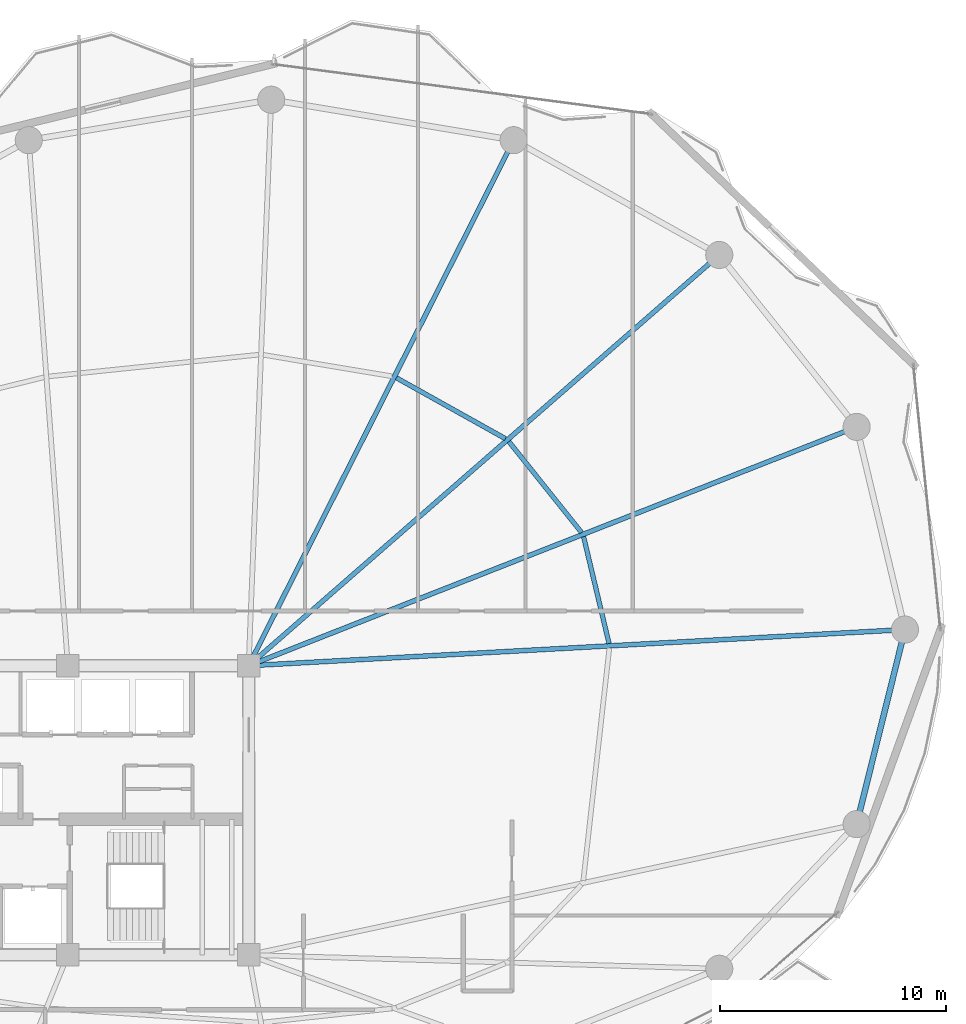
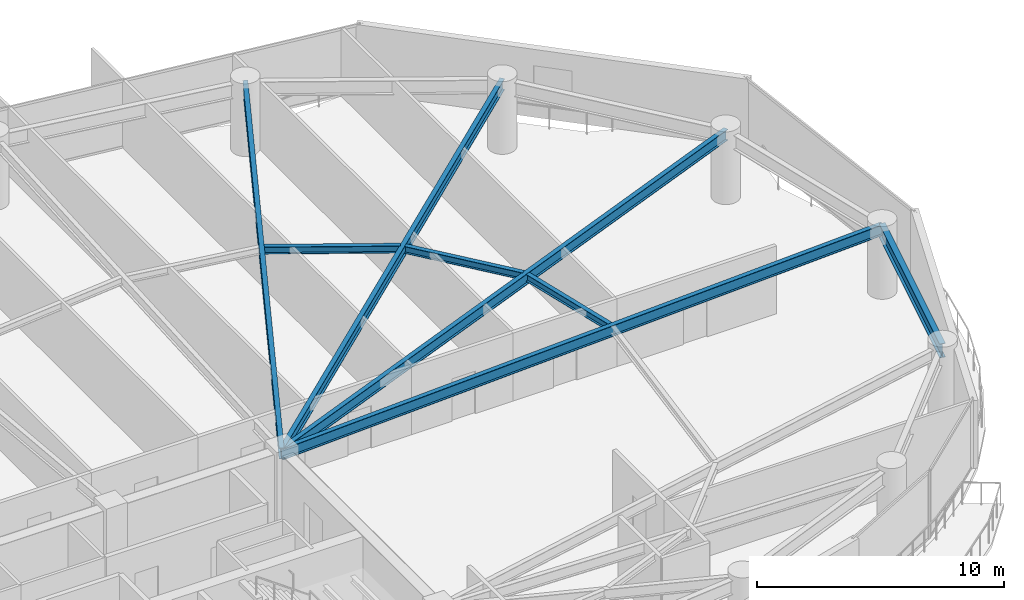
# One storey, part 14 of 30: 8 beams.
"""IFC4 building model written with IfcOpenShell, lengths in metres."""

from ifc_helpers import new_model, si_unit, direction, frame, origin, origin_2d, place, context, subcontext, project, spatial, i_section, extrude, material, material_profile, profile_set, type_object, element, save


model = new_model("IFC4")

# Units and contexts
model_context = context("Model", 3, precision=1e-05, world=origin(), true_north=direction((0.0, 1.0)))
body_context = subcontext(model_context, "Body", "Model", "MODEL_VIEW")
ifc_project = project(units=[si_unit("LENGTHUNIT", "METRE"), si_unit("AREAUNIT", "SQUARE_METRE"), si_unit("VOLUMEUNIT", "CUBIC_METRE"), si_unit("PLANEANGLEUNIT", "RADIAN"), si_unit("MASSUNIT", "GRAM", prefix="KILO")], contexts=[model_context])

# Site, building, storey
site_placement = place(None, origin())
site = spatial("IfcSite", under=ifc_project, at=site_placement, CompositionType="ELEMENT")
building_placement = place(site_placement, origin())
building = spatial("IfcBuilding", under=site, at=building_placement, Name="Kazevale Care Tower and Concert Hall", CompositionType="ELEMENT")
storey_placement = place(building_placement, frame((0.0, 0.0, 131.39990234375)))
storey = spatial("IfcBuildingStorey", under=building, at=storey_placement, Name="L34", CompositionType="ELEMENT", Elevation=131.39990234375)

# Beams
ifc_material = material(Name="Steel ASTM A572 Gr 50", Category="steel")
ifc_material_profile_1 = material_profile(ifc_material, i_section(OverallWidth=0.2119140625, OverallDepth=0.5439453125, WebThickness=0.01318359375, FlangeThickness=0.021240234375, at=origin_2d()), Name="W530x123")
ifc_profile_set_1 = profile_set([ifc_material_profile_1], Name="Steel ASTM A572 Gr 50")
beam_type_1 = type_object("IfcBeamType", Name="Radial Floor Girder W530x123", PredefinedType="BEAM", material=ifc_profile_set_1)
beam_1_placement = place(storey_placement, frame((44.0, 36.39990234375, 3.088134765625), z_axis=(0.998486500016, 0.054997357076, 0.0), x_axis=(-0.054997357076, 0.998486500016, 0.0)))
element("IfcBeam", 1, at=beam_1_placement, inside=storey, type_object=beam_type_1, Name="beam:L34:rad:01", PredefinedType="BEAM", context=body_context, shape_type="SweptSolid", body=[
    extrude(i_section(OverallWidth=0.2119140625, OverallDepth=0.5439453125, WebThickness=0.01318359375, FlangeThickness=0.021240234375, at=origin_2d()), origin(), (0.0, 0.0, 1.0), 29.093994140625),
])
beam_2_placement = place(storey_placement, frame((44.0, 36.39990234375, 3.088134765625), z_axis=(0.930771301513, 0.36560194786, 0.0), x_axis=(-0.36560194786, 0.930771301513, 0.0)))
element("IfcBeam", 2, at=beam_2_placement, inside=storey, type_object=beam_type_1, Name="beam:L34:rad:02", PredefinedType="BEAM", context=body_context, shape_type="SweptSolid", body=[
    extrude(i_section(OverallWidth=0.2119140625, OverallDepth=0.5439453125, WebThickness=0.01318359375, FlangeThickness=0.021240234375, at=origin_2d()), origin(), (0.0, 0.0, 1.0), 28.911376953125),
])
beam_3_placement = place(storey_placement, frame((44.0, 36.39990234375, 3.088134765625), z_axis=(0.753403181998, 0.657558853149, 0.0), x_axis=(-0.657558853149, 0.753403181998, 0.0)))
element("IfcBeam", 3, at=beam_3_placement, inside=storey, type_object=beam_type_1, Name="beam:L34:rad:03", PredefinedType="BEAM", context=body_context, shape_type="SweptSolid", body=[
    extrude(i_section(OverallWidth=0.2119140625, OverallDepth=0.5439453125, WebThickness=0.01318359375, FlangeThickness=0.021240234375, at=origin_2d()), origin(), (0.0, 0.0, 1.0), 27.64794921875),
])
beam_4_placement = place(storey_placement, frame((44.0, 36.39990234375, 3.088134765625), z_axis=(0.450281187568, 0.892886808124, 0.0), x_axis=(-0.892886808124, 0.450281187568, 0.0)))
element("IfcBeam", 4, at=beam_4_placement, inside=storey, type_object=beam_type_1, Name="beam:L34:rad:04", PredefinedType="BEAM", context=body_context, shape_type="SweptSolid", body=[
    extrude(i_section(OverallWidth=0.2119140625, OverallDepth=0.5439453125, WebThickness=0.01318359375, FlangeThickness=0.021240234375, at=origin_2d()), origin(), (0.0, 0.0, 1.0), 26.05029296875),
])
ifc_material_profile_2 = material_profile(ifc_material, i_section(OverallWidth=0.205078125, OverallDepth=0.35400390625, WebThickness=0.009521484375, FlangeThickness=0.016845703125, at=origin_2d()), Name="W360x79")
ifc_profile_set_2 = profile_set([ifc_material_profile_2], Name="Steel ASTM A572 Gr 50")
beam_type_2 = type_object("IfcBeamType", Name="Secondary Floor Joist W360x79", PredefinedType="JOIST", material=ifc_profile_set_2)
beam_5_placement = place(storey_placement, frame((59.952880859375, 37.382080078125, 3.18310546875), z_axis=(-0.232005223279, 0.972714540023, 0.0), x_axis=(-0.972714540023, -0.232005223279, 0.0)))
element("IfcBeam", 5, at=beam_5_placement, inside=storey, type_object=beam_type_2, Name="beam:L34:joist:01", PredefinedType="JOIST", context=body_context, shape_type="SweptSolid", body=[
    extrude(i_section(OverallWidth=0.205078125, OverallDepth=0.35400390625, WebThickness=0.009521484375, FlangeThickness=0.016845703125, at=origin_2d()), origin(), (0.0, 0.0, 1.0), 4.861572265625),
])
beam_6_placement = place(storey_placement, frame((58.735107421875, 42.2958984375, 3.18310546875), z_axis=(-0.624261115922, 0.781215757104, 0.0), x_axis=(-0.781215757104, -0.624261115922, 0.0)))
element("IfcBeam", 6, at=beam_6_placement, inside=storey, type_object=beam_type_2, Name="beam:L34:joist:02", PredefinedType="JOIST", context=body_context, shape_type="SweptSolid", body=[
    extrude(i_section(OverallWidth=0.205078125, OverallDepth=0.35400390625, WebThickness=0.009521484375, FlangeThickness=0.016845703125, at=origin_2d()), origin(), (0.0, 0.0, 1.0), 5.147216796875),
])
beam_7_placement = place(storey_placement, frame((55.364990234375, 46.449951171875, 3.18310546875), z_axis=(-0.873137755824, 0.487473547338, 0.0), x_axis=(-0.487473547338, -0.873137755824, 0.0)))
element("IfcBeam", 7, at=beam_7_placement, inside=storey, type_object=beam_type_2, Name="beam:L34:joist:03", PredefinedType="JOIST", context=body_context, shape_type="SweptSolid", body=[
    extrude(i_section(OverallWidth=0.205078125, OverallDepth=0.35400390625, WebThickness=0.009521484375, FlangeThickness=0.016845703125, at=origin_2d()), origin(), (0.0, 0.0, 1.0), 5.522705078125),
])
ifc_material_profile_3 = material_profile(ifc_material, i_section(OverallWidth=0.256103515625, OverallDepth=0.693115234375, WebThickness=0.014404296875, FlangeThickness=0.023681640625, at=origin_2d()), Name="W690x170")
ifc_profile_set_3 = profile_set([ifc_material_profile_3], Name="Steel ASTM A572 Gr 50")
beam_type_3 = type_object("IfcBeamType", Name="Waist Ring Beam W690x170", PredefinedType="BEAM", material=ifc_profile_set_3)
beam_8_placement = place(storey_placement, frame((70.909912109375, 29.389892578125, 3.013671875), z_axis=(0.241221022882, 0.970470204653, 0.0), x_axis=(-0.970470204653, 0.241221022882, 0.0)))
element("IfcBeam", 8, at=beam_8_placement, inside=storey, type_object=beam_type_3, Name="beam:L34:ring:16", PredefinedType="BEAM", context=body_context, shape_type="SweptSolid", body=[
    extrude(i_section(OverallWidth=0.256103515625, OverallDepth=0.693115234375, WebThickness=0.014404296875, FlangeThickness=0.023681640625, at=origin_2d()), origin(), (0.0, 0.0, 1.0), 8.8720703125),
])

save(model, "model.ifc")
